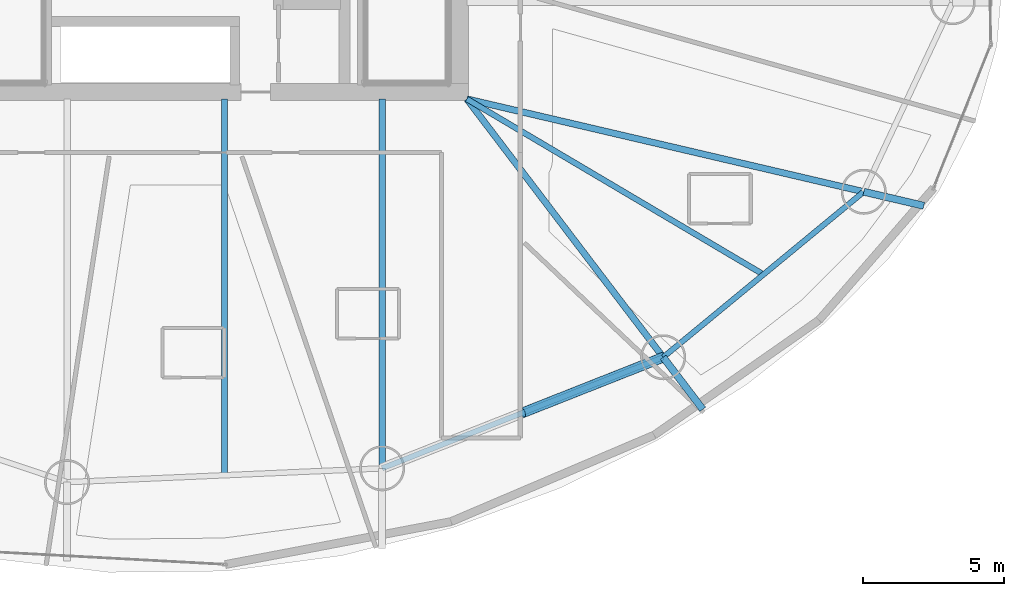
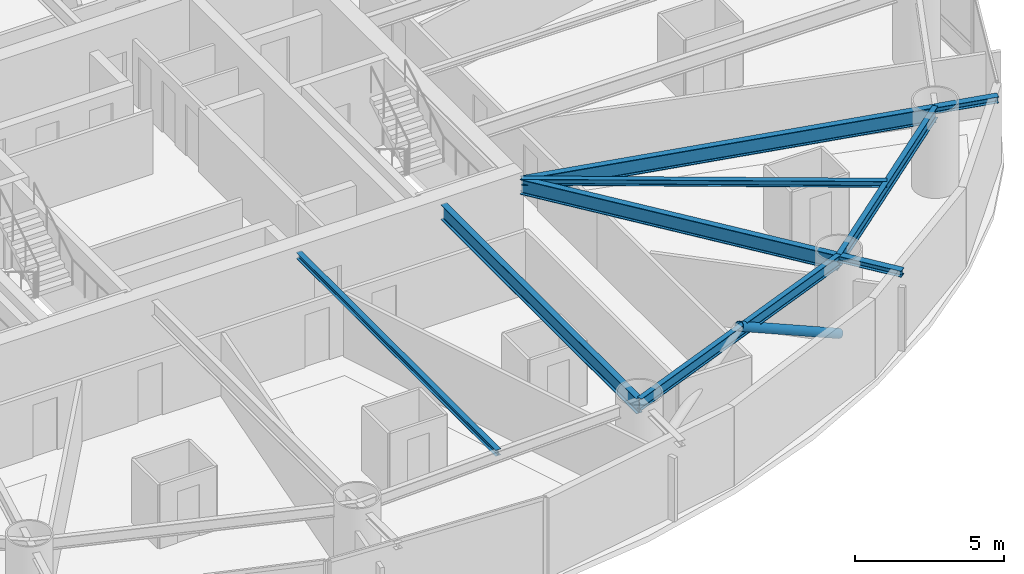
# One storey, part 7 of 26: 9 beams, 1 member.
"""IFC4 building model written with IfcOpenShell, lengths in metres."""

from ifc_helpers import new_model, si_unit, direction, frame, origin, origin_2d, place, context, subcontext, project, spatial, hollow_circle, i_section, extrude, material, material_profile, profile_set, type_object, element, save


model = new_model("IFC4")

# Units and contexts
model_context = context("Model", 3, precision=1e-05, world=origin(), true_north=direction((0.0, 1.0)))
body_context = subcontext(model_context, "Body", "Model", "MODEL_VIEW")
ifc_project = project(units=[si_unit("LENGTHUNIT", "METRE"), si_unit("AREAUNIT", "SQUARE_METRE"), si_unit("VOLUMEUNIT", "CUBIC_METRE"), si_unit("PLANEANGLEUNIT", "RADIAN"), si_unit("MASSUNIT", "GRAM", prefix="KILO")], contexts=[model_context])

# Site, building, storey
site_placement = place(None, origin())
site = spatial("IfcSite", under=ifc_project, at=site_placement, CompositionType="ELEMENT")
building_placement = place(site_placement, origin())
building = spatial("IfcBuilding", under=site, at=building_placement, Name="Bramvorn Convention Spire", CompositionType="ELEMENT")
storey_placement = place(building_placement, frame((0.0, 0.0, 76.39990234375)))
storey = spatial("IfcBuildingStorey", under=building, at=storey_placement, Name="L17", CompositionType="ELEMENT", Elevation=76.39990234375)

# Beams
ifc_material = material(Name="Steel CSA G40.21 Grade 350 (350W)", Category="steel")
ifc_material_profile_1 = material_profile(ifc_material, i_section(OverallWidth=0.201904296875, OverallDepth=0.2470703125, WebThickness=0.00732421875, FlangeThickness=0.010986328125, FilletRadius=0.011962890625, at=origin_2d()))
ifc_profile_set_1 = profile_set([ifc_material_profile_1], Name="Steel CSA G40.21 Grade 350 (350W) - W250X49")
beam_type_1 = type_object("IfcBeamType", Name="BM-W250X49", PredefinedType="JOIST", material=ifc_profile_set_1)
beam_1_placement = place(storey_placement, frame((40.638427734375, 18.550048828125, 3.126708984375), z_axis=(0.0, -1.0, 0.0), x_axis=(1.0, 0.0, 0.0)))
element("IfcBeam", 1, at=beam_1_placement, inside=storey, type_object=beam_type_1, Name="L17 composite floor joist 13", PredefinedType="JOIST", context=body_context, shape_type="SweptSolid", body=[
    extrude(i_section(OverallWidth=0.201904296875, OverallDepth=0.2470703125, WebThickness=0.00732421875, FlangeThickness=0.010986328125, FilletRadius=0.011962890625, at=origin_2d()), origin(), (0.0, 0.0, 1.0), 13.372802734375),
])
beam_2_placement = place(storey_placement, frame((49.25, 18.550048828125, 3.126708984375), z_axis=(0.860664556648, -0.509172388223, 0.0), x_axis=(0.509172388223, 0.860664556648, 0.0)))
element("IfcBeam", 2, at=beam_2_placement, inside=storey, type_object=beam_type_1, Name="L17 composite floor joist 15", PredefinedType="JOIST", context=body_context, shape_type="SweptSolid", body=[
    extrude(i_section(OverallWidth=0.201904296875, OverallDepth=0.2470703125, WebThickness=0.00732421875, FlangeThickness=0.010986328125, FilletRadius=0.011962890625, at=origin_2d()), origin(), (0.0, 0.0, 1.0), 12.25048828125),
])
ifc_material_profile_2 = material_profile(ifc_material, i_section(OverallWidth=0.25390625, OverallDepth=0.2529296875, WebThickness=0.008544921875, FlangeThickness=0.01416015625, FilletRadius=0.011962890625, at=origin_2d()))
ifc_profile_set_2 = profile_set([ifc_material_profile_2], Name="Steel CSA G40.21 Grade 350 (350W) - W250X73")
beam_type_2 = type_object("IfcBeamType", Name="BM-W250X73", PredefinedType="BEAM", material=ifc_profile_set_2)
beam_3_placement = place(storey_placement, frame((56.227783203125, 9.371337890625, 3.12353515625), z_axis=(0.605216487449, -0.796060929402, 0.0), x_axis=(0.796060929402, 0.605216487449, 0.0)))
element("IfcBeam", 3, at=beam_3_placement, inside=storey, type_object=beam_type_2, Name="L17 slab-edge cantilever tip beam MC15", PredefinedType="BEAM", context=body_context, shape_type="SweptSolid", body=[
    extrude(i_section(OverallWidth=0.25390625, OverallDepth=0.2529296875, WebThickness=0.008544921875, FlangeThickness=0.01416015625, FilletRadius=0.011962890625, at=origin_2d()), origin(), (0.0, 0.0, 1.0), 2.3232421875),
])
beam_4_placement = place(storey_placement, frame((63.35888671875, 15.253662109375, 3.12353515625), z_axis=(0.973790196314, -0.227448133785, 0.0), x_axis=(0.227448133785, 0.973790196314, 0.0)))
element("IfcBeam", 4, at=beam_4_placement, inside=storey, type_object=beam_type_2, Name="L17 slab-edge cantilever tip beam MC16", PredefinedType="BEAM", context=body_context, shape_type="SweptSolid", body=[
    extrude(i_section(OverallWidth=0.25390625, OverallDepth=0.2529296875, WebThickness=0.008544921875, FlangeThickness=0.01416015625, FilletRadius=0.011962890625, at=origin_2d()), origin(), (0.0, 0.0, 1.0), 2.189697265625),
])
ifc_material_profile_3 = material_profile(ifc_material, i_section(OverallWidth=0.194091796875, OverallDepth=0.468994140625, WebThickness=0.0126953125, FlangeThickness=0.0205078125, FilletRadius=0.01806640625, at=origin_2d()))
ifc_profile_set_3 = profile_set([ifc_material_profile_3], Name="Steel CSA G40.21 Grade 350 (350W) - W460X106")
beam_type_3 = type_object("IfcBeamType", Name="BM-W460X106", PredefinedType="SPANDREL", material=ifc_profile_set_3)
beam_5_placement = place(storey_placement, frame((46.23779296875, 5.42333984375, 3.015625), z_axis=(0.93000950609, 0.367535465749, 0.0), x_axis=(-0.367535465749, 0.93000950609, 0.0)))
element("IfcBeam", 5, at=beam_5_placement, inside=storey, type_object=beam_type_3, Name="L17 mega-column ring beam 14", PredefinedType="SPANDREL", context=body_context, shape_type="SweptSolid", body=[
    extrude(i_section(OverallWidth=0.194091796875, OverallDepth=0.468994140625, WebThickness=0.0126953125, FlangeThickness=0.0205078125, FilletRadius=0.01806640625, at=origin_2d()), origin(), (0.0, 0.0, 1.0), 10.74169921875),
])
beam_6_placement = place(storey_placement, frame((56.227783203125, 9.371337890625, 3.015625), z_axis=(0.771417680101, 0.636329130896, 0.0), x_axis=(-0.636329130896, 0.771417680101, 0.0)))
element("IfcBeam", 6, at=beam_6_placement, inside=storey, type_object=beam_type_3, Name="L17 mega-column ring beam 15", PredefinedType="SPANDREL", context=body_context, shape_type="SweptSolid", body=[
    extrude(i_section(OverallWidth=0.194091796875, OverallDepth=0.468994140625, WebThickness=0.0126953125, FlangeThickness=0.0205078125, FilletRadius=0.01806640625, at=origin_2d()), origin(), (0.0, 0.0, 1.0), 9.244140625),
])
ifc_material_profile_4 = material_profile(ifc_material, i_section(OverallWidth=0.22998046875, OverallDepth=0.616943359375, WebThickness=0.01318359375, FlangeThickness=0.022216796875, FilletRadius=0.02001953125, at=origin_2d()))
ifc_profile_set_4 = profile_set([ifc_material_profile_4], Name="Steel CSA G40.21 Grade 350 (350W) - W610X140")
beam_type_4 = type_object("IfcBeamType", Name="BM-W610X140", PredefinedType="BEAM", material=ifc_profile_set_4)
beam_7_placement = place(storey_placement, frame((46.23779296875, 18.550048828125, 2.941650390625), z_axis=(0.0, -1.0, 0.0), x_axis=(1.0, 0.0, 0.0)))
element("IfcBeam", 7, at=beam_7_placement, inside=storey, type_object=beam_type_4, Name="L17 radial floor girder MC14", PredefinedType="BEAM", context=body_context, shape_type="SweptSolid", body=[
    extrude(i_section(OverallWidth=0.22998046875, OverallDepth=0.616943359375, WebThickness=0.01318359375, FlangeThickness=0.022216796875, FilletRadius=0.02001953125, at=origin_2d()), origin(), (0.0, 0.0, 1.0), 13.126708984375),
])
beam_8_placement = place(storey_placement, frame((49.25, 18.550048828125, 2.941650390625), z_axis=(0.605191175112, -0.796080172826, 0.0), x_axis=(0.796080172826, 0.605191175112, 0.0)))
element("IfcBeam", 8, at=beam_8_placement, inside=storey, type_object=beam_type_4, Name="L17 radial floor girder MC15", PredefinedType="BEAM", context=body_context, shape_type="SweptSolid", body=[
    extrude(i_section(OverallWidth=0.22998046875, OverallDepth=0.616943359375, WebThickness=0.01318359375, FlangeThickness=0.022216796875, FilletRadius=0.02001953125, at=origin_2d()), origin(), (0.0, 0.0, 1.0), 11.52978515625),
])
beam_9_placement = place(storey_placement, frame((49.25, 18.550048828125, 2.941650390625), z_axis=(0.973775294862, -0.227511923018, 0.0), x_axis=(0.227511923018, 0.973775294862, 0.0)))
element("IfcBeam", 9, at=beam_9_placement, inside=storey, type_object=beam_type_4, Name="L17 radial floor girder MC16", PredefinedType="BEAM", context=body_context, shape_type="SweptSolid", body=[
    extrude(i_section(OverallWidth=0.22998046875, OverallDepth=0.616943359375, WebThickness=0.01318359375, FlangeThickness=0.022216796875, FilletRadius=0.02001953125, at=origin_2d()), origin(), (0.0, 0.0, 1.0), 14.48876953125),
])

# Member
ifc_material_profile_5 = material_profile(ifc_material, hollow_circle(Radius=0.177734375, WallThickness=0.015869140625, at=origin_2d()))
ifc_profile_set_5 = profile_set([ifc_material_profile_5], Name="Steel CSA G40.21 Grade 350 (350W) - CHS356X16")
member_type = type_object("IfcMemberType", Name="MBR-CHS356X16", PredefinedType="BRACE", material=ifc_profile_set_5)
member_placement = place(storey_placement, frame((56.227783203125, 9.371337890625, 0.0), z_axis=(-0.795678790301, -0.314460346939, 0.517696776954), x_axis=(0.367547354558, -0.930004807599, 0.0)))
element("IfcMember", 10, at=member_placement, inside=storey, type_object=member_type, Name="L17 perimeter Gothic lancet brace 14B", PredefinedType="BRACE", context=body_context, shape_type="SweptSolid", body=[
    extrude(hollow_circle(Radius=0.177734375, WallThickness=0.015869140625, at=origin_2d()), origin(), (0.0, 0.0, 1.0), 6.27783203125),
])

save(model, "model.ifc")
